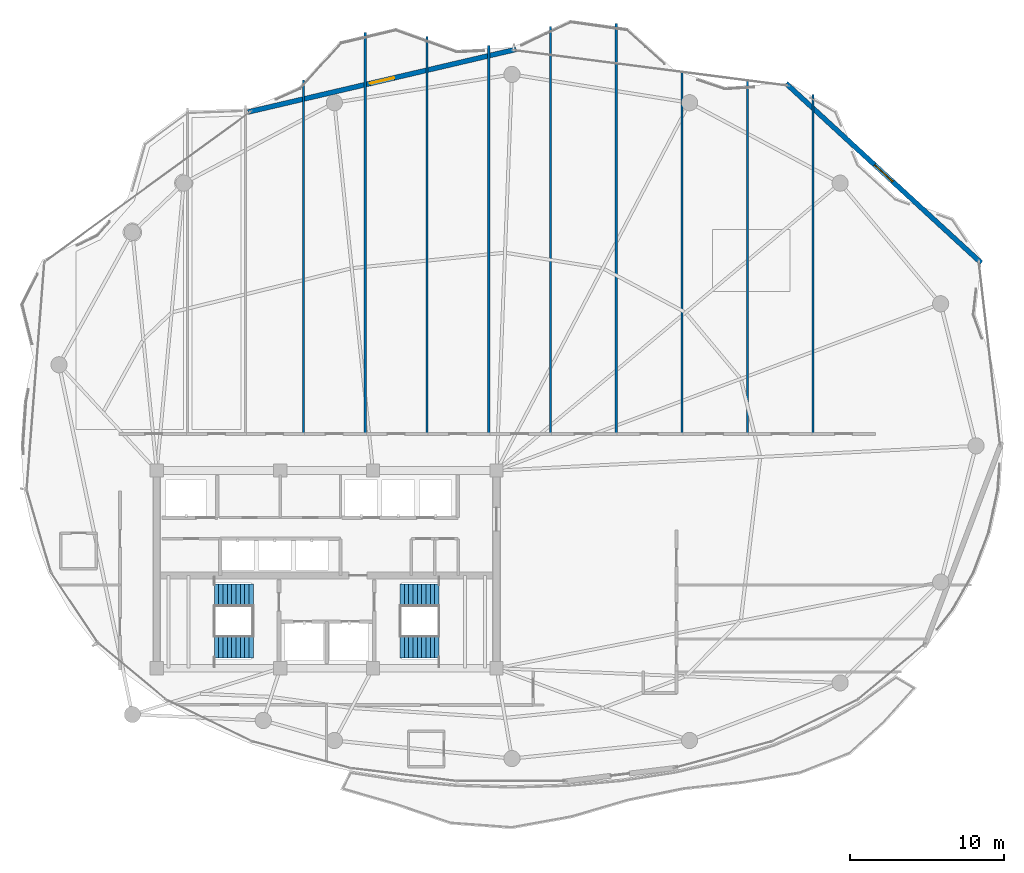
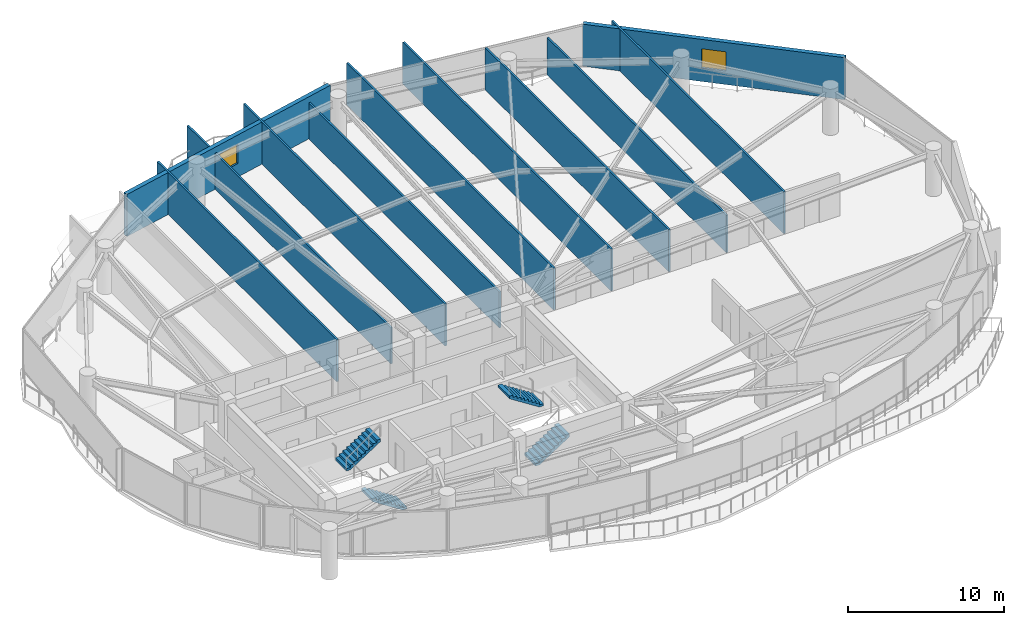
# One storey, part 27 of 31: 11 walls, 4 stair flights, 2 windows, 2 openings, 2 elements without a shape of their own.
"""IFC4 building model written with IfcOpenShell, lengths in metres."""

from ifc_helpers import new_model, si_unit, direction, frame, frame_2d, origin, place, context, subcontext, project, spatial, polyline, rectangle, outline, extrude, material, layer, layer_set, type_object, element, fill, aggregate, save


model = new_model("IFC4")

# Units and contexts
model_context = context("Model", 3, precision=1e-05, world=origin(), true_north=direction((0.0, 1.0)))
body_context = subcontext(model_context, "Body", "Model", "MODEL_VIEW")
ifc_project = project(units=[si_unit("LENGTHUNIT", "METRE"), si_unit("AREAUNIT", "SQUARE_METRE"), si_unit("VOLUMEUNIT", "CUBIC_METRE"), si_unit("PLANEANGLEUNIT", "RADIAN"), si_unit("MASSUNIT", "GRAM", prefix="KILO")], contexts=[model_context])

# Site, building, storey
site_placement = place(None, origin())
site = spatial("IfcSite", under=ifc_project, at=site_placement, CompositionType="ELEMENT")
building_placement = place(site_placement, origin())
building = spatial("IfcBuilding", under=site, at=building_placement, Name="Kazevale Care Tower and Concert Hall", CompositionType="ELEMENT")
storey_placement = place(building_placement, frame((0.0, 0.0, 187.199951171875)))
storey = spatial("IfcBuildingStorey", under=building, at=storey_placement, Name="L49", CompositionType="ELEMENT", Elevation=187.199951171875)

# Walls
ifc_material_1 = material(Name="Acoustic Gypsum on Steel Stud", Category="steel")
ifc_layer_1 = layer(ifc_material_1, 0.139892578125)
ifc_layer_set_1 = layer_set([ifc_layer_1], Name="Acoustic Gypsum on Steel Stud")
wall_type_1 = type_object("IfcWallType", Name="Acoustic Care & Suite Partition 140", PredefinedType="PARTITIONING", material=ifc_layer_set_1)
wall_1_placement = place(storey_placement, frame((31.5, 61.68701171875, 0.0), z_axis=(0.0, 0.0, 1.0), x_axis=(0.0, -1.0, 0.0)))
element("IfcWall", 1, at=wall_1_placement, inside=storey, type_object=wall_type_1, Name="wall:L49:auto_026", PredefinedType="PARTITIONING", context=body_context, shape_type="SweptSolid", body=[
    extrude(rectangle(XDim=22.94189453125, YDim=0.139892578125, at=frame_2d((11.470947265625, 0.0))), origin(), (0.0, 0.0, 1.0), 3.280029296875),
])
wall_2_placement = place(storey_placement, frame((35.5, 64.778076171875, 0.0), z_axis=(0.0, 0.0, 1.0), x_axis=(0.0, -1.0, 0.0)))
element("IfcWall", 2, at=wall_2_placement, inside=storey, type_object=wall_type_1, Name="wall:L49:auto_027", PredefinedType="PARTITIONING", context=body_context, shape_type="SweptSolid", body=[
    extrude(rectangle(XDim=26.032958984375, YDim=0.139892578125, at=frame_2d((13.0166015625, 0.0))), origin(), (0.0, 0.0, 1.0), 2.81005859375),
])
wall_3_placement = place(storey_placement, frame((39.5, 64.52197265625, 0.0), z_axis=(0.0, 0.0, 1.0), x_axis=(0.0, -1.0, 0.0)))
element("IfcWall", 3, at=wall_3_placement, inside=storey, type_object=wall_type_1, Name="wall:L49:auto_028", PredefinedType="PARTITIONING", context=body_context, shape_type="SweptSolid", body=[
    extrude(rectangle(XDim=25.77685546875, YDim=0.139892578125, at=frame_2d((12.888427734375, 0.0))), origin(), (0.0, 0.0, 1.0), 3.280029296875),
])
wall_4_placement = place(storey_placement, frame((43.5, 63.930908203125, 0.0), z_axis=(0.0, 0.0, 1.0), x_axis=(0.0, -1.0, 0.0)))
element("IfcWall", 4, at=wall_4_placement, inside=storey, type_object=wall_type_1, Name="wall:L49:auto_029", PredefinedType="PARTITIONING", context=body_context, shape_type="SweptSolid", body=[
    extrude(rectangle(XDim=25.185791015625, YDim=0.139892578125, at=frame_2d((12.5927734375, 0.0))), origin(), (0.0, 0.0, 1.0), 2.81005859375),
])
wall_5_placement = place(storey_placement, frame((47.5, 65.156005859375, 0.0), z_axis=(0.0, 0.0, 1.0), x_axis=(0.0, -1.0, 0.0)))
element("IfcWall", 5, at=wall_5_placement, inside=storey, type_object=wall_type_1, Name="wall:L49:auto_030", PredefinedType="PARTITIONING", context=body_context, shape_type="SweptSolid", body=[
    extrude(rectangle(XDim=26.410888671875, YDim=0.139892578125, at=frame_2d((13.20556640625, 0.0))), origin(), (0.0, 0.0, 1.0), 3.280029296875),
])
wall_6_placement = place(storey_placement, frame((51.75, 65.35888671875, 0.0), z_axis=(0.0, 0.0, 1.0), x_axis=(0.0, -1.0, 0.0)))
element("IfcWall", 6, at=wall_6_placement, inside=storey, type_object=wall_type_1, Name="wall:L49:auto_031", PredefinedType="PARTITIONING", context=body_context, shape_type="SweptSolid", body=[
    extrude(rectangle(XDim=26.61376953125, YDim=0.139892578125, at=frame_2d((13.306884765625, 0.0))), origin(), (0.0, 0.0, 1.0), 3.280029296875),
])
wall_7_placement = place(storey_placement, frame((56.0, 62.197021484375, 0.0), z_axis=(0.0, 0.0, 1.0), x_axis=(0.0, -1.0, 0.0)))
element("IfcWall", 7, at=wall_7_placement, inside=storey, type_object=wall_type_1, Name="wall:L49:auto_032", PredefinedType="PARTITIONING", context=body_context, shape_type="SweptSolid", body=[
    extrude(rectangle(XDim=23.451904296875, YDim=0.139892578125, at=frame_2d((11.72607421875, 0.0))), origin(), (0.0, 0.0, 1.0), 3.280029296875),
])
wall_8_placement = place(storey_placement, frame((60.25, 61.64794921875, 0.0), z_axis=(0.0, 0.0, 1.0), x_axis=(0.0, -1.0, 0.0)))
element("IfcWall", 8, at=wall_8_placement, inside=storey, type_object=wall_type_1, Name="wall:L49:auto_033", PredefinedType="PARTITIONING", context=body_context, shape_type="SweptSolid", body=[
    extrude(rectangle(XDim=22.90283203125, YDim=0.139892578125, at=frame_2d((11.451416015625, 0.0))), origin(), (0.0, 0.0, 1.0), 2.916015625),
])
wall_9_placement = place(storey_placement, frame((64.5, 60.76708984375, 0.0), z_axis=(0.0, 0.0, 1.0), x_axis=(0.0, -1.0, 0.0)))
element("IfcWall", 9, at=wall_9_placement, inside=storey, type_object=wall_type_1, Name="wall:L49:auto_034", PredefinedType="PARTITIONING", context=body_context, shape_type="SweptSolid", body=[
    extrude(rectangle(XDim=22.02197265625, YDim=0.139892578125, at=frame_2d((11.010986328125, 0.0))), origin(), (0.0, 0.0, 1.0), 3.280029296875),
])

# Wall, opening, window
ifc_material_2 = material(Name="Concrete C40 with Honed Limestone Cladding", Category="masonry")
ifc_layer_2 = layer(ifc_material_2, 0.320068359375)
ifc_layer_set_2 = layer_set([ifc_layer_2], Name="Concrete C40 with Honed Limestone Cladding")
wall_type_2 = type_object("IfcWallType", Name="Tower Honed Limestone Spandrel Wall 320", PredefinedType="STANDARD", material=ifc_layer_set_2)
wall_10_placement = place(storey_placement, frame((27.908935546875, 59.616943359375, 0.0), z_axis=(0.0, 0.0, 1.0), x_axis=(0.973753606594, 0.227604731158, 0.0)))
wall_10 = element("IfcWall", 10, at=wall_10_placement, inside=storey, type_object=wall_type_2, Name="wall:L49:cbox:15", PredefinedType="STANDARD", context=body_context, shape_type="SweptSolid", body=[
    extrude(rectangle(XDim=17.816650390625, YDim=0.320068359375, at=frame_2d((8.908203125, 0.0))), origin(), (0.0, 0.0, 1.0), 3.280029296875),
])
opening_1_placement = place(wall_10_placement, frame((8.10888671875, 0.0, 1.050048828125)))
opening_1 = element("IfcOpeningElement", 11, at=opening_1_placement, cuts=wall_10, Name="Opening WIN-1", PredefinedType="OPENING", context=body_context, shape_type="SweptSolid", body=[
    extrude(rectangle(XDim=1.60009765625, YDim=1.5, at=frame_2d((0.800048828125, 0.75))), frame((0.0, 0.169921875, 0.0), z_axis=(0.0, -1.0, 0.0), x_axis=(1.0, 0.0, 0.0)), (0.0, 0.0, 1.0), 0.340087890625),
])
ifc_material_3 = material(Name="Low-E Laminated Glass", Category="glass")
window_type = type_object("IfcWindowType", Name="Convex Box Deep-Set Window 1600x1500", PartitioningType="DOUBLE_PANEL_VERTICAL", PredefinedType="WINDOW", material=ifc_material_3)
window_1_placement = place(opening_1_placement, origin())
window_1 = element("IfcWindow", 12, at=window_1_placement, inside=storey, type_object=window_type, Name="win:L49:cbox:15", OverallHeight=1.5, OverallWidth=1.60009765625, PartitioningType="SINGLE_PANEL", PredefinedType="WINDOW", context=body_context, shape_type="SweptSolid", body=[
    extrude(rectangle(XDim=1.60009765625, YDim=1.5, at=frame_2d((0.800048828125, 0.75))), frame((0.0, 0.030029296875, 0.0), z_axis=(0.0, -1.0, 0.0), x_axis=(1.0, 0.0, 0.0)), (0.0, 0.0, 1.0), 0.06005859375),
])
fill(opening_1, window_1)

wall_11_placement = place(storey_placement, frame((62.7509765625, 61.462890625, 0.0), z_axis=(0.0, 0.0, 1.0), x_axis=(0.736063690764, -0.676912286149, 0.0)))
wall_11 = element("IfcWall", 13, at=wall_11_placement, inside=storey, type_object=wall_type_2, Name="wall:L49:cbox:17", PredefinedType="STANDARD", context=body_context, shape_type="SweptSolid", body=[
    extrude(rectangle(XDim=17.16162109375, YDim=0.320068359375, at=frame_2d((8.580810546875, 0.0))), origin(), (0.0, 0.0, 1.0), 3.280029296875),
])
opening_2_placement = place(wall_11_placement, frame((7.781005859375, 0.0, 1.050048828125)))
opening_2 = element("IfcOpeningElement", 14, at=opening_2_placement, cuts=wall_11, Name="Opening WIN-1", PredefinedType="OPENING", context=body_context, shape_type="SweptSolid", body=[
    extrude(rectangle(XDim=1.60009765625, YDim=1.5, at=frame_2d((0.800048828125, 0.75))), frame((0.0, 0.169921875, 0.0), z_axis=(0.0, -1.0, 0.0), x_axis=(1.0, 0.0, 0.0)), (0.0, 0.0, 1.0), 0.340087890625),
])
window_2_placement = place(opening_2_placement, origin())
window_2 = element("IfcWindow", 15, at=window_2_placement, inside=storey, type_object=window_type, Name="win:L49:cbox:17", OverallHeight=1.5, OverallWidth=1.60009765625, PartitioningType="SINGLE_PANEL", PredefinedType="WINDOW", context=body_context, shape_type="SweptSolid", body=[
    extrude(rectangle(XDim=1.60009765625, YDim=1.5, at=frame_2d((0.800048828125, 0.75))), frame((0.0, 0.030029296875, 0.0), z_axis=(0.0, -1.0, 0.0), x_axis=(1.0, 0.0, 0.0)), (0.0, 0.0, 1.0), 0.06005859375),
])
fill(opening_2, window_2)

# Stair, stair flights
ifc_material_4 = material(Name="Concrete C40", Category="concrete")
stair_type = type_object("IfcStairType", Name="Exit Stair Assembly ST1-Z3", PredefinedType="HALF_TURN_STAIR", material=ifc_material_4)
stair_1_placement = place(storey_placement, origin())
stair_1 = element("IfcStair", 16, at=stair_1_placement, inside=storey, type_object=stair_type, Name="stair:L49:ST1", PredefinedType="HALF_TURN_STAIR")
ifc_layer_3 = layer(ifc_material_4, 0.159912109375)
ifc_layer_set_3 = layer_set([ifc_layer_3], Name="Concrete C40")
stair_flight_type = type_object("IfcStairFlightType", Name="Exit Stair Flight ST1-Z3", PredefinedType="STRAIGHT", material=ifc_layer_set_3)
stair_flight_1_placement = place(storey_placement, frame((28.25, 24.97509765625, 0.0), z_axis=(0.0, 0.0, 1.0), x_axis=(-1.0, 0.0, 0.0)))
stair_flight_1 = element("IfcStairFlight", 17, at=stair_flight_1_placement, type_object=stair_flight_type, Name="ST1-Z3 flight 1", NumberOfRisers=10, NumberOfTreads=9, PredefinedType="STRAIGHT", RiserHeight=0.18, TreadLength=0.28, context=body_context, shape_type="SweptSolid", body=[
    extrude(outline(polyline([(0.0, 0.0), (0.0, 0.179931640625), (0.280029296875, 0.179931640625), (0.280029296875, 0.360107421875), (0.56005859375, 0.360107421875), (0.56005859375, 0.5400390625), (0.840087890625, 0.5400390625), (0.840087890625, 0.719970703125), (1.1201171875, 0.719970703125), (1.1201171875, 0.89990234375), (1.39990234375, 0.89990234375), (1.39990234375, 1.080078125), (1.679931640625, 1.080078125), (1.679931640625, 1.260009765625), (1.9599609375, 1.260009765625), (1.9599609375, 1.43994140625), (2.239990234375, 1.43994140625), (2.239990234375, 1.6201171875), (2.52001953125, 1.6201171875), (2.52001953125, 1.800048828125), (2.52001953125, 1.429931640625), (0.295654296875, 0.0), (0.0, 0.0)])), frame((0.0, 0.72509765625, 0.0), z_axis=(0.0, -1.0, 0.0), x_axis=(1.0, 0.0, 0.0)), (0.0, 0.0, 1.0), 1.449951171875),
])
stair_flight_2_placement = place(storey_placement, frame((25.72998046875, 28.324951171875, 1.800048828125), z_axis=(0.0, 0.0, 1.0), x_axis=(1.0, 0.0, 0.0)))
stair_flight_2 = element("IfcStairFlight", 18, at=stair_flight_2_placement, type_object=stair_flight_type, Name="ST1-Z3 flight 2", NumberOfRisers=10, NumberOfTreads=9, PredefinedType="STRAIGHT", RiserHeight=0.18, TreadLength=0.28, context=body_context, shape_type="SweptSolid", body=[
    extrude(outline(polyline([(0.0, 0.0), (0.0, 0.179931640625), (0.280029296875, 0.179931640625), (0.280029296875, 0.360107421875), (0.56005859375, 0.360107421875), (0.56005859375, 0.5400390625), (0.840087890625, 0.5400390625), (0.840087890625, 0.719970703125), (1.1201171875, 0.719970703125), (1.1201171875, 0.89990234375), (1.39990234375, 0.89990234375), (1.39990234375, 1.080078125), (1.679931640625, 1.080078125), (1.679931640625, 1.260009765625), (1.9599609375, 1.260009765625), (1.9599609375, 1.43994140625), (2.239990234375, 1.43994140625), (2.239990234375, 1.6201171875), (2.52001953125, 1.6201171875), (2.52001953125, 1.800048828125), (2.52001953125, 1.429931640625), (0.295654296875, 0.0), (0.0, 0.0)])), frame((0.0, 0.72509765625, 0.0), z_axis=(0.0, -1.0, 0.0), x_axis=(1.0, 0.0, 0.0)), (0.0, 0.0, 1.0), 1.449951171875),
])
aggregate(stair_1, [stair_flight_1, stair_flight_2])

stair_2_placement = place(storey_placement, origin())
stair_2 = element("IfcStair", 19, at=stair_2_placement, inside=storey, type_object=stair_type, Name="stair:L49:ST2", PredefinedType="HALF_TURN_STAIR")
stair_flight_3_placement = place(storey_placement, frame((37.75, 24.97509765625, 0.0), z_axis=(0.0, 0.0, 1.0), x_axis=(1.0, 0.0, 0.0)))
stair_flight_3 = element("IfcStairFlight", 20, at=stair_flight_3_placement, type_object=stair_flight_type, Name="ST1-Z3 flight 1", NumberOfRisers=10, NumberOfTreads=9, PredefinedType="STRAIGHT", RiserHeight=0.18, TreadLength=0.28, context=body_context, shape_type="SweptSolid", body=[
    extrude(outline(polyline([(0.0, 0.0), (0.0, 0.179931640625), (0.280029296875, 0.179931640625), (0.280029296875, 0.360107421875), (0.56005859375, 0.360107421875), (0.56005859375, 0.5400390625), (0.840087890625, 0.5400390625), (0.840087890625, 0.719970703125), (1.1201171875, 0.719970703125), (1.1201171875, 0.89990234375), (1.39990234375, 0.89990234375), (1.39990234375, 1.080078125), (1.679931640625, 1.080078125), (1.679931640625, 1.260009765625), (1.9599609375, 1.260009765625), (1.9599609375, 1.43994140625), (2.239990234375, 1.43994140625), (2.239990234375, 1.6201171875), (2.52001953125, 1.6201171875), (2.52001953125, 1.800048828125), (2.52001953125, 1.429931640625), (0.295654296875, 0.0), (0.0, 0.0)])), frame((0.0, 0.72509765625, 0.0), z_axis=(0.0, -1.0, 0.0), x_axis=(1.0, 0.0, 0.0)), (0.0, 0.0, 1.0), 1.449951171875),
])
stair_flight_4_placement = place(storey_placement, frame((40.27001953125, 28.324951171875, 1.800048828125), z_axis=(0.0, 0.0, 1.0), x_axis=(-1.0, 0.0, 0.0)))
stair_flight_4 = element("IfcStairFlight", 21, at=stair_flight_4_placement, type_object=stair_flight_type, Name="ST1-Z3 flight 2", NumberOfRisers=10, NumberOfTreads=9, PredefinedType="STRAIGHT", RiserHeight=0.18, TreadLength=0.28, context=body_context, shape_type="SweptSolid", body=[
    extrude(outline(polyline([(0.0, 0.0), (0.0, 0.179931640625), (0.280029296875, 0.179931640625), (0.280029296875, 0.360107421875), (0.56005859375, 0.360107421875), (0.56005859375, 0.5400390625), (0.840087890625, 0.5400390625), (0.840087890625, 0.719970703125), (1.1201171875, 0.719970703125), (1.1201171875, 0.89990234375), (1.39990234375, 0.89990234375), (1.39990234375, 1.080078125), (1.679931640625, 1.080078125), (1.679931640625, 1.260009765625), (1.9599609375, 1.260009765625), (1.9599609375, 1.43994140625), (2.239990234375, 1.43994140625), (2.239990234375, 1.6201171875), (2.52001953125, 1.6201171875), (2.52001953125, 1.800048828125), (2.52001953125, 1.429931640625), (0.295654296875, 0.0), (0.0, 0.0)])), frame((0.0, 0.72509765625, 0.0), z_axis=(0.0, -1.0, 0.0), x_axis=(1.0, 0.0, 0.0)), (0.0, 0.0, 1.0), 1.449951171875),
])
aggregate(stair_2, [stair_flight_3, stair_flight_4])

save(model, "model.ifc")
